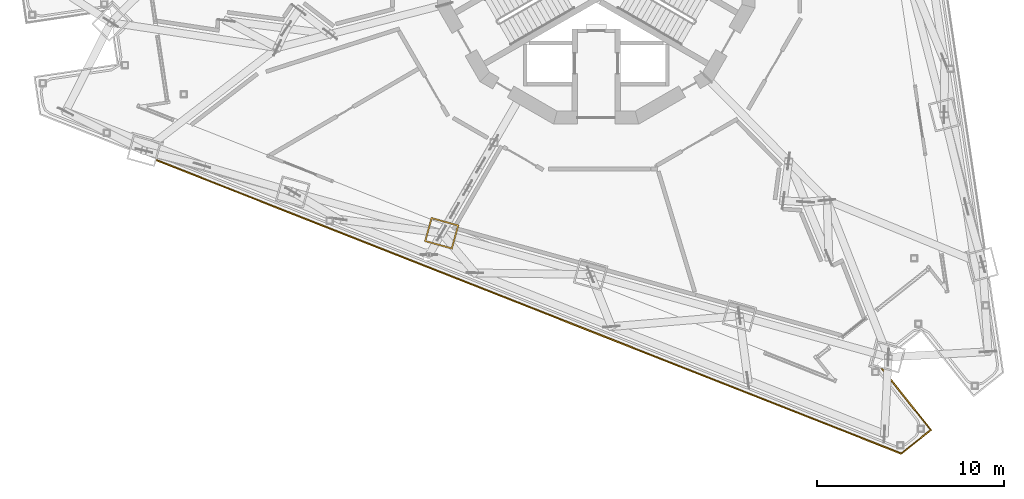
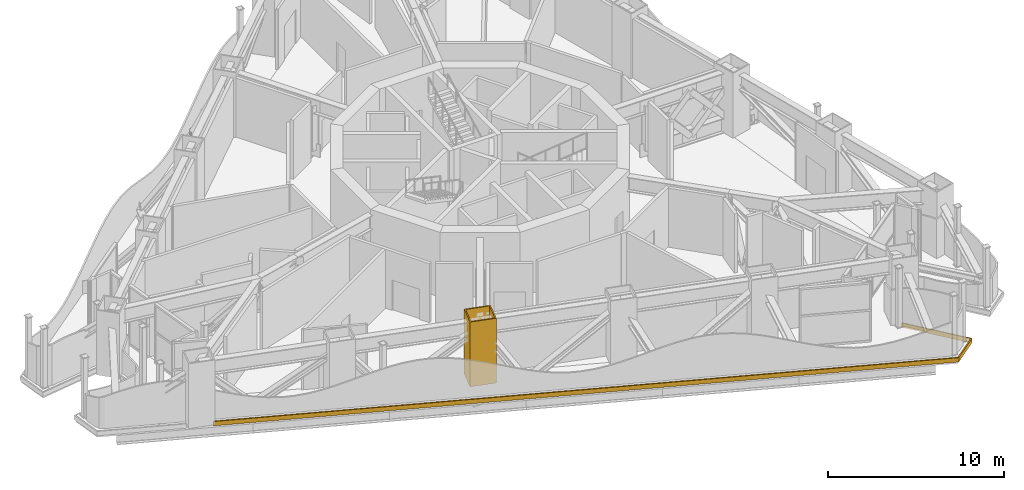
# One storey, part 19 of 27: 2 coverings.
"""IFC4 building model written with IfcOpenShell, lengths in metres."""

from ifc_helpers import new_model, si_unit, direction, frame, origin, place, context, subcontext, project, spatial, polyline, outline, extrude, material, layer, layer_set, type_object, element, save


model = new_model("IFC4")

# Units and contexts
model_context = context("Model", 3, precision=1e-05, world=origin(), true_north=direction((0.0, 1.0)))
body_context = subcontext(model_context, "Body", "Model", "MODEL_VIEW")
ifc_project = project(units=[si_unit("LENGTHUNIT", "METRE"), si_unit("AREAUNIT", "SQUARE_METRE"), si_unit("VOLUMEUNIT", "CUBIC_METRE"), si_unit("PLANEANGLEUNIT", "RADIAN"), si_unit("MASSUNIT", "GRAM", prefix="KILO")], contexts=[model_context])

# Site, building, storey
site_placement = place(None, origin())
site = spatial("IfcSite", under=ifc_project, at=site_placement, CompositionType="ELEMENT")
building_placement = place(site_placement, origin())
building = spatial("IfcBuilding", under=site, at=building_placement, Name="Trine Commons Tower", CompositionType="ELEMENT")
storey_placement = place(building_placement, frame((0.0, 0.0, 230.39990234375)))
storey = spatial("IfcBuildingStorey", under=building, at=storey_placement, Name="L60", CompositionType="ELEMENT", Elevation=230.39990234375)

# Coverings
ifc_material = material(Name="Limestone, honed", Category="masonry")
ifc_layer_1 = layer(ifc_material, 0.074951171875)
ifc_layer_set_1 = layer_set([ifc_layer_1], Name="Limestone, honed")
covering_type_1 = type_object("IfcCoveringType", Name="Limestone column cladding 75", PredefinedType="CLADDING", material=ifc_layer_set_1)
covering_1_placement = place(storey_placement, origin())
element("IfcCovering", 1, at=covering_1_placement, inside=storey, type_object=covering_type_1, Name="Limestone pier cladding 7-04", PredefinedType="CLADDING", context=body_context, shape_type="SweptSolid", body=[
    extrude(outline(polyline([(71.16650390625, 49.017578125), (70.8056640625, 47.716796875), (72.29931640625, 47.302490234375), (72.659912109375, 48.603515625), (71.16650390625, 49.017578125)]), holes=[polyline([(71.218505859375, 48.92529296875), (70.89794921875, 47.76904296875), (72.2470703125, 47.39501953125), (72.567626953125, 48.55126953125), (71.218505859375, 48.92529296875)])]), origin(), (0.0, 0.0, 1.0), 4.5),
])
ifc_layer_2 = layer(ifc_material, 0.074951171875)
ifc_layer_set_2 = layer_set([ifc_layer_2], Name="Limestone, honed")
covering_type_2 = type_object("IfcCoveringType", Name="Limestone spandrel panel 75", PredefinedType="CLADDING", material=ifc_layer_set_2)
covering_2_placement = place(storey_placement, frame((0.0, 0.0, -0.2998046875)))
element("IfcCovering", 2, at=covering_2_placement, inside=storey, type_object=covering_type_2, Name="Limestone spandrel panel 6-02", PredefinedType="CLADDING", context=body_context, shape_type="SweptSolid", body=[
    extrude(outline(polyline([(97.968505859375, 37.621337890625), (95.353515625, 40.908935546875), (95.23046875, 40.943115234375), (97.86328125, 37.63330078125), (96.325927734375, 36.41064453125), (56.470947265625, 52.110107421875), (56.45068359375, 52.037353515625), (96.3388671875, 36.324951171875), (97.968505859375, 37.621337890625)])), origin(), (0.0, 0.0, 1.0), 0.2998046875),
])

save(model, "model.ifc")
